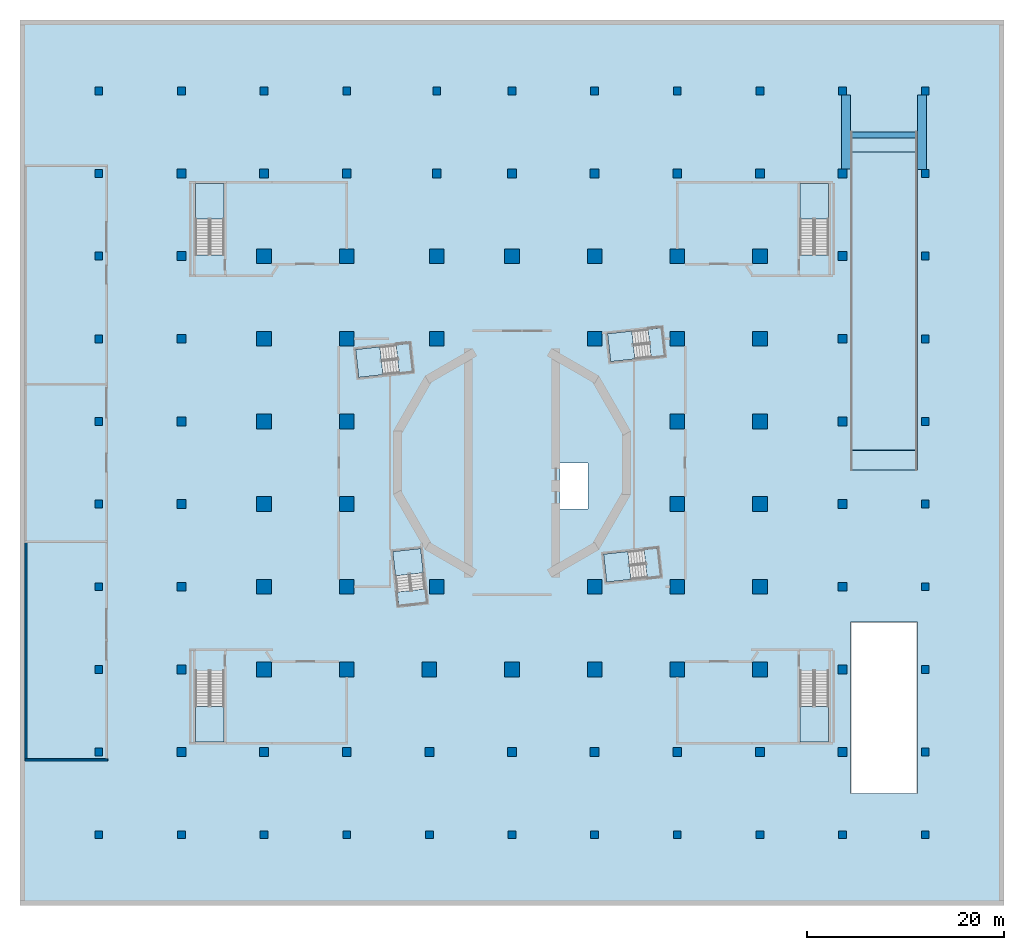
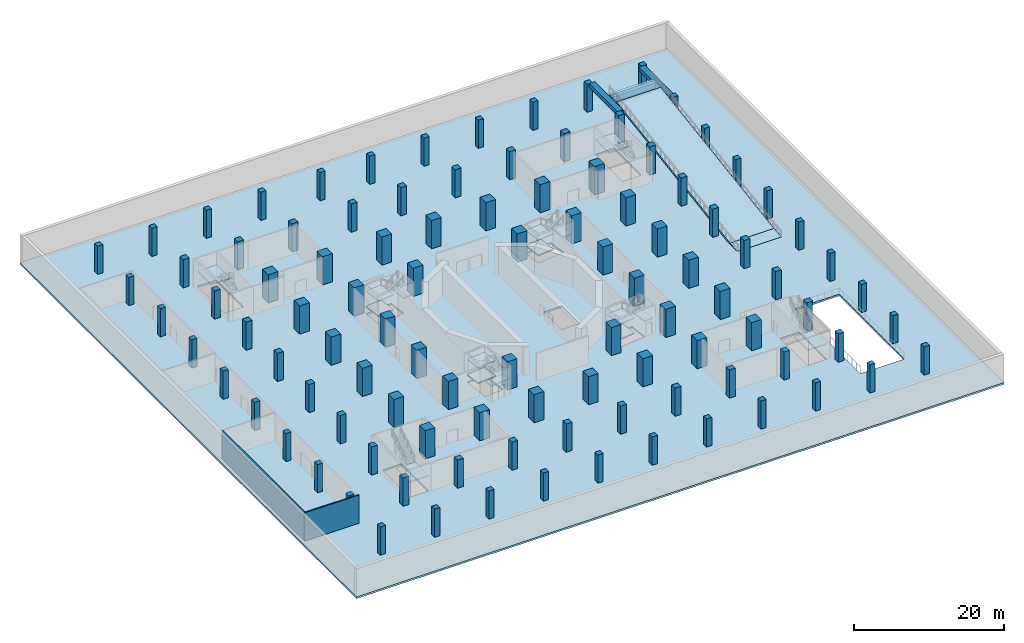
# One storey, part 1 of 20: 102 columns, 20 slabs, 3 beams, 2 walls, 8 elements without a shape of their own.
"""IFC4 building model written with IfcOpenShell, lengths in metres."""

from ifc_helpers import new_model, si_unit, direction, frame, frame_2d, origin, origin_2d, place, context, subcontext, project, spatial, polyline, rectangle, outline, extrude, clip, halfspace, material, layer, layer_set, material_profile, profile_set, type_object, element, aggregate, save


model = new_model("IFC4")

# Units and contexts
model_context = context("Model", 3, precision=1e-05, world=origin(), true_north=direction((0.0, 1.0)))
body_context = subcontext(model_context, "Body", "Model", "MODEL_VIEW")
ifc_project = project(units=[si_unit("LENGTHUNIT", "METRE"), si_unit("AREAUNIT", "SQUARE_METRE"), si_unit("VOLUMEUNIT", "CUBIC_METRE"), si_unit("PLANEANGLEUNIT", "RADIAN"), si_unit("MASSUNIT", "GRAM", prefix="KILO")], contexts=[model_context])

# Site, building, storey
site_placement = place(None, origin())
site = spatial("IfcSite", under=ifc_project, at=site_placement, CompositionType="ELEMENT")
building_placement = place(site_placement, origin())
building = spatial("IfcBuilding", under=site, at=building_placement, Name="Cantera Rosa Tower", CompositionType="ELEMENT")
storey_placement = place(building_placement, frame((0.0, 0.0, -5.0)))
storey = spatial("IfcBuildingStorey", under=building, at=storey_placement, Name="B1", CompositionType="ELEMENT", Elevation=-5.0)

# Columns
ifc_material_1 = material(Name="Concrete C60/75", Category="concrete")
ifc_material_profile_1 = material_profile(ifc_material_1, rectangle(XDim=1.5, YDim=1.5, at=origin_2d()), Name="Column 1500x1500")
ifc_profile_set_1 = profile_set([ifc_material_profile_1], Name="Concrete C60/75")
column_type_1 = type_object("IfcColumnType", Name="Column 1500x1500", PredefinedType="COLUMN", material=ifc_profile_set_1)
for number, where, z_axis, x_axis, name in (
    (1, (-25.199951171875, -21.0, 0.0), (0.0, 0.0, 1.0), (1.0, 0.0, 0.0), "Column C-P-2B"),
    (2, (-25.199951171875, -12.60009765625, 0.0), (0.0, 0.0, 1.0), (1.0, 0.0, 0.0), "Column C-P-2C"),
    (3, (-25.199951171875, -4.199951171875, 0.0), (0.0, 0.0, 1.0), (1.0, 0.0, 0.0), "Column C-P-2D"),
    (4, (-25.199951171875, 4.199951171875, 0.0), (0.0, 0.0, 1.0), (1.0, 0.0, 0.0), "Column C-P-2E"),
    (5, (-25.199951171875, 12.60009765625, 0.0), (0.0, 0.0, 1.0), (1.0, 0.0, 0.0), "Column C-P-2F"),
    (6, (-25.199951171875, 21.0, 0.0), (0.0, 0.0, 1.0), (1.0, 0.0, 0.0), "Column C-P-2G"),
    (7, (-16.800048828125, -21.0, 0.0), (0.0, 0.0, 1.0), (1.0, 0.0, 0.0), "Column C-P-3B"),
    (8, (-16.800048828125, -12.60009765625, 0.0), (0.0, 0.0, 1.0), (1.0, 0.0, 0.0), "Column C-P-3C"),
    (9, (-16.800048828125, -4.199951171875, 0.0), (0.0, 0.0, 1.0), (1.0, 0.0, 0.0), "Column C-P-3D"),
    (10, (-16.800048828125, 4.199951171875, 0.0), (0.0, 0.0, 1.0), (1.0, 0.0, 0.0), "Column C-P-3E"),
    (11, (-16.800048828125, 12.60009765625, 0.0), (0.0, 0.0, 1.0), (1.0, 0.0, 0.0), "Column C-P-3F"),
    (12, (-16.800048828125, 21.0, 0.0), (0.0, 0.0, 1.0), (1.0, 0.0, 0.0), "Column C-P-3G"),
    (13, (-8.39990234375, -21.0, 0.0), (0.0, 0.0, 1.0), (1.0, 0.0, 0.0), "Column C-P-4B"),
    (14, (-7.64990234375, -12.60009765625, 0.0), (0.0, 0.0, 1.0), (1.0, 0.0, 0.0), "Column C-P-4C"),
    (15, (-7.64990234375, 12.60009765625, 0.0), (0.0, 0.0, 1.0), (1.0, 0.0, 0.0), "Column C-B-4N2"),
    (16, (-7.64990234375, 21.0, 0.0), (0.0, 0.0, 1.0), (1.0, 0.0, 0.0), "Column C-B-4N3"),
    (17, (0.0, -21.0, 0.0), (0.0, 0.0, 1.0), (1.0, 0.0, 0.0), "Column C-P-5B"),
    (18, (0.0, 21.0, 0.0), (0.0, 0.0, 1.0), (1.0, 0.0, 0.0), "Column C-P-5G"),
    (19, (8.39990234375, -21.0, 0.0), (0.0, 0.0, 1.0), (1.0, 0.0, 0.0), "Column C-P-6B"),
    (20, (8.39990234375, -12.60009765625, 0.0), (0.0, 0.0, 1.0), (1.0, 0.0, 0.0), "Column C-P-6C"),
    (21, (8.39990234375, 12.60009765625, 0.0), (0.0, 0.0, 1.0), (1.0, 0.0, 0.0), "Column C-P-6F"),
    (22, (8.39990234375, 21.0, 0.0), (0.0, 0.0, 1.0), (1.0, 0.0, 0.0), "Column C-P-6G"),
    (23, (16.800048828125, -21.0, 0.0), (0.0, 0.0, 1.0), (1.0, 0.0, 0.0), "Column C-P-7B"),
    (24, (16.800048828125, -12.60009765625, 0.0), (0.0, 0.0, 1.0), (1.0, 0.0, 0.0), "Column C-P-7C"),
    (25, (16.800048828125, -4.199951171875, 0.0), (0.0, 0.0, 1.0), (1.0, 0.0, 0.0), "Column C-P-7D"),
    (26, (16.800048828125, 4.199951171875, 0.0), (0.0, 0.0, 1.0), (1.0, 0.0, 0.0), "Column C-P-7E"),
    (27, (16.800048828125, 12.60009765625, 0.0), (0.0, 0.0, 1.0), (1.0, 0.0, 0.0), "Column C-P-7F"),
    (28, (16.800048828125, 21.0, 0.0), (0.0, 0.0, 1.0), (1.0, 0.0, 0.0), "Column C-P-7G"),
    (29, (25.199951171875, -21.0, 0.0), (0.0, 0.0, 1.0), (1.0, 0.0, 0.0), "Column C-P-8B"),
    (30, (25.199951171875, -12.60009765625, 0.0), (0.0, 0.0, 1.0), (1.0, 0.0, 0.0), "Column C-P-8C"),
    (31, (25.199951171875, -4.199951171875, 0.0), (0.0, 0.0, 1.0), (1.0, 0.0, 0.0), "Column C-P-8D"),
    (32, (25.199951171875, 4.199951171875, 0.0), (0.0, 0.0, 1.0), (1.0, 0.0, 0.0), "Column C-P-8E"),
    (33, (25.199951171875, 12.60009765625, 0.0), (0.0, 0.0, 1.0), (1.0, 0.0, 0.0), "Column C-P-8F"),
    (34, (25.199951171875, 21.0, 0.0), (0.0, 0.0, 1.0), (1.0, 0.0, 0.0), "Column C-P-8G"),
):
    element("IfcColumn", number, at=place(storey_placement, frame(where, z_axis=z_axis, x_axis=x_axis)), inside=storey, type_object=column_type_1, Name=name, PredefinedType="COLUMN", context=body_context, shape_type="SweptSolid", body=[
        extrude(rectangle(XDim=1.5, YDim=1.5, at=origin_2d()), origin(), (0.0, 0.0, 1.0), 4.60009765625),
    ])
ifc_material_2 = material(Name="Concrete C60/75", Category="concrete")
ifc_material_profile_2 = material_profile(ifc_material_2, rectangle(XDim=0.800048828125, YDim=0.800048828125, at=origin_2d()), Name="Column 800x800")
ifc_profile_set_2 = profile_set([ifc_material_profile_2], Name="Concrete C60/75")
column_type_2 = type_object("IfcColumnType", Name="Column 800x800", PredefinedType="COLUMN", material=ifc_profile_set_2)
for number, where, z_axis, x_axis, name in (
    (35, (-42.0, -37.800048828125, 0.0), (0.0, 0.0, 1.0), (1.0, 0.0, 0.0), "Column C-B-0S5"),
    (36, (-42.0, -29.39990234375, 0.0), (0.0, 0.0, 1.0), (1.0, 0.0, 0.0), "Column C-B-0S4"),
    (37, (-42.0, -21.0, 0.0), (0.0, 0.0, 1.0), (1.0, 0.0, 0.0), "Column C-B-0S3"),
    (38, (-42.0, -12.60009765625, 0.0), (0.0, 0.0, 1.0), (1.0, 0.0, 0.0), "Column C-B-0S2"),
    (39, (-42.0, -4.199951171875, 0.0), (0.0, 0.0, 1.0), (1.0, 0.0, 0.0), "Column C-B-0S1"),
    (40, (-42.0, 4.199951171875, 0.0), (0.0, 0.0, 1.0), (1.0, 0.0, 0.0), "Column C-B-0N1"),
    (41, (-42.0, 12.60009765625, 0.0), (0.0, 0.0, 1.0), (1.0, 0.0, 0.0), "Column C-B-0N2"),
    (42, (-42.0, 21.0, 0.0), (0.0, 0.0, 1.0), (1.0, 0.0, 0.0), "Column C-B-0N3"),
    (43, (-42.0, 29.39990234375, 0.0), (0.0, 0.0, 1.0), (1.0, 0.0, 0.0), "Column C-B-0N4"),
    (44, (-42.0, 37.800048828125, 0.0), (0.0, 0.0, 1.0), (1.0, 0.0, 0.0), "Column C-B-0N5"),
    (45, (-33.60009765625, -37.800048828125, 0.0), (0.0, 0.0, 1.0), (1.0, 0.0, 0.0), "Column C-B-1S5"),
    (46, (-33.60009765625, 37.800048828125, 0.0), (0.0, 0.0, 1.0), (1.0, 0.0, 0.0), "Column C-B-1N5"),
    (47, (-25.199951171875, -37.800048828125, 0.0), (0.0, 0.0, 1.0), (1.0, 0.0, 0.0), "Column C-B-2S5"),
    (48, (-25.199951171875, 37.800048828125, 0.0), (0.0, 0.0, 1.0), (1.0, 0.0, 0.0), "Column C-B-2N5"),
    (49, (-16.800048828125, -37.800048828125, 0.0), (0.0, 0.0, 1.0), (1.0, 0.0, 0.0), "Column C-B-3S5"),
    (50, (-16.800048828125, 37.800048828125, 0.0), (0.0, 0.0, 1.0), (1.0, 0.0, 0.0), "Column C-B-3N5"),
    (51, (-8.39990234375, -37.800048828125, 0.0), (0.0, 0.0, 1.0), (1.0, 0.0, 0.0), "Column C-B-4S5"),
    (52, (-7.64990234375, 37.800048828125, 0.0), (0.0, 0.0, 1.0), (1.0, 0.0, 0.0), "Column C-B-4N5"),
    (53, (0.0, -37.800048828125, 0.0), (0.0, 0.0, 1.0), (1.0, 0.0, 0.0), "Column C-B-5S5"),
    (54, (0.0, 37.800048828125, 0.0), (0.0, 0.0, 1.0), (1.0, 0.0, 0.0), "Column C-B-5N5"),
    (55, (8.39990234375, -37.800048828125, 0.0), (0.0, 0.0, 1.0), (1.0, 0.0, 0.0), "Column C-B-6S5"),
    (56, (8.39990234375, 37.800048828125, 0.0), (0.0, 0.0, 1.0), (1.0, 0.0, 0.0), "Column C-B-6N5"),
    (57, (16.800048828125, -37.800048828125, 0.0), (0.0, 0.0, 1.0), (1.0, 0.0, 0.0), "Column C-B-7S5"),
    (58, (16.800048828125, 37.800048828125, 0.0), (0.0, 0.0, 1.0), (1.0, 0.0, 0.0), "Column C-B-7N5"),
    (59, (25.199951171875, -37.800048828125, 0.0), (0.0, 0.0, 1.0), (1.0, 0.0, 0.0), "Column C-B-8S5"),
    (60, (25.199951171875, 37.800048828125, 0.0), (0.0, 0.0, 1.0), (1.0, 0.0, 0.0), "Column C-B-8N5"),
    (61, (33.60009765625, -37.800048828125, 0.0), (0.0, 0.0, 1.0), (1.0, 0.0, 0.0), "Column C-B-9S5"),
    (62, (33.60009765625, 37.800048828125, 0.0), (0.0, 0.0, 1.0), (1.0, 0.0, 0.0), "Column C-B-9N5"),
    (63, (42.0, -37.800048828125, 0.0), (0.0, 0.0, 1.0), (1.0, 0.0, 0.0), "Column C-B-10S5"),
    (64, (42.0, -29.39990234375, 0.0), (0.0, 0.0, 1.0), (1.0, 0.0, 0.0), "Column C-B-10S4"),
    (65, (42.0, -21.0, 0.0), (0.0, 0.0, 1.0), (1.0, 0.0, 0.0), "Column C-B-10S3"),
    (66, (42.0, -12.60009765625, 0.0), (0.0, 0.0, 1.0), (1.0, 0.0, 0.0), "Column C-B-10S2"),
    (67, (42.0, -4.199951171875, 0.0), (0.0, 0.0, 1.0), (1.0, 0.0, 0.0), "Column C-B-10S1"),
    (68, (42.0, 4.199951171875, 0.0), (0.0, 0.0, 1.0), (1.0, 0.0, 0.0), "Column C-B-10N1"),
    (69, (42.0, 12.60009765625, 0.0), (0.0, 0.0, 1.0), (1.0, 0.0, 0.0), "Column C-B-10N2"),
    (70, (42.0, 21.0, 0.0), (0.0, 0.0, 1.0), (1.0, 0.0, 0.0), "Column C-B-10N3"),
    (71, (42.0, 29.39990234375, 0.0), (0.0, 0.0, 1.0), (1.0, 0.0, 0.0), "Column C-B-10N4"),
    (72, (42.0, 37.800048828125, 0.0), (0.0, 0.0, 1.0), (1.0, 0.0, 0.0), "Column C-B-10N5"),
):
    element("IfcColumn", number, at=place(storey_placement, frame(where, z_axis=z_axis, x_axis=x_axis)), inside=storey, type_object=column_type_2, Name=name, PredefinedType="COLUMN", context=body_context, shape_type="SweptSolid", body=[
        extrude(rectangle(XDim=0.800048828125, YDim=0.800048828125, at=origin_2d()), origin(), (0.0, 0.0, 1.0), 4.60009765625),
    ])
ifc_material_3 = material(Name="Concrete C60/75", Category="concrete")
ifc_material_profile_3 = material_profile(ifc_material_3, rectangle(XDim=0.89990234375, YDim=0.89990234375, at=origin_2d()), Name="Column 900x900")
ifc_profile_set_3 = profile_set([ifc_material_profile_3], Name="Concrete C60/75")
column_type_3 = type_object("IfcColumnType", Name="Column 900x900", PredefinedType="COLUMN", material=ifc_profile_set_3)
for number, where, z_axis, x_axis, name in (
    (73, (-33.60009765625, -29.39990234375, 0.0), (0.0, 0.0, 1.0), (1.0, 0.0, 0.0), "Column C-P-1A"),
    (74, (-33.60009765625, -21.0, 0.0), (0.0, 0.0, 1.0), (1.0, 0.0, 0.0), "Column C-P-1B"),
    (75, (-33.60009765625, -12.60009765625, 0.0), (0.0, 0.0, 1.0), (1.0, 0.0, 0.0), "Column C-P-1C"),
    (76, (-33.60009765625, -4.199951171875, 0.0), (0.0, 0.0, 1.0), (1.0, 0.0, 0.0), "Column C-P-1D"),
    (77, (-33.60009765625, 4.199951171875, 0.0), (0.0, 0.0, 1.0), (1.0, 0.0, 0.0), "Column C-P-1E"),
    (78, (-33.60009765625, 12.60009765625, 0.0), (0.0, 0.0, 1.0), (1.0, 0.0, 0.0), "Column C-P-1F"),
    (79, (-33.60009765625, 21.0, 0.0), (0.0, 0.0, 1.0), (1.0, 0.0, 0.0), "Column C-P-1G"),
    (80, (-33.60009765625, 29.39990234375, 0.0), (0.0, 0.0, 1.0), (1.0, 0.0, 0.0), "Column C-P-1H"),
    (81, (-25.199951171875, -29.39990234375, 0.0), (0.0, 0.0, 1.0), (1.0, 0.0, 0.0), "Column C-P-2A"),
    (82, (-25.199951171875, 29.39990234375, 0.0), (0.0, 0.0, 1.0), (1.0, 0.0, 0.0), "Column C-P-2H"),
    (83, (-16.800048828125, -29.39990234375, 0.0), (0.0, 0.0, 1.0), (1.0, 0.0, 0.0), "Column C-P-3A"),
    (84, (-16.800048828125, 29.39990234375, 0.0), (0.0, 0.0, 1.0), (1.0, 0.0, 0.0), "Column C-P-3H"),
    (85, (-8.39990234375, -29.39990234375, 0.0), (0.0, 0.0, 1.0), (1.0, 0.0, 0.0), "Column C-P-4A"),
    (86, (-7.64990234375, 29.39990234375, 0.0), (0.0, 0.0, 1.0), (1.0, 0.0, 0.0), "Column C-B-4N4"),
    (87, (0.0, -29.39990234375, 0.0), (0.0, 0.0, 1.0), (1.0, 0.0, 0.0), "Column C-P-5A"),
    (88, (0.0, 29.39990234375, 0.0), (0.0, 0.0, 1.0), (1.0, 0.0, 0.0), "Column C-P-5H"),
    (89, (8.39990234375, -29.39990234375, 0.0), (0.0, 0.0, 1.0), (1.0, 0.0, 0.0), "Column C-P-6A"),
    (90, (8.39990234375, 29.39990234375, 0.0), (0.0, 0.0, 1.0), (1.0, 0.0, 0.0), "Column C-P-6H"),
    (91, (16.800048828125, -29.39990234375, 0.0), (0.0, 0.0, 1.0), (1.0, 0.0, 0.0), "Column C-P-7A"),
    (92, (16.800048828125, 29.39990234375, 0.0), (0.0, 0.0, 1.0), (1.0, 0.0, 0.0), "Column C-P-7H"),
    (93, (25.199951171875, -29.39990234375, 0.0), (0.0, 0.0, 1.0), (1.0, 0.0, 0.0), "Column C-P-8A"),
    (94, (25.199951171875, 29.39990234375, 0.0), (0.0, 0.0, 1.0), (1.0, 0.0, 0.0), "Column C-P-8H"),
    (95, (33.60009765625, -29.39990234375, 0.0), (0.0, 0.0, 1.0), (1.0, 0.0, 0.0), "Column C-P-9A"),
    (96, (33.60009765625, -21.0, 0.0), (0.0, 0.0, 1.0), (1.0, 0.0, 0.0), "Column C-P-9B"),
    (97, (33.60009765625, -12.60009765625, 0.0), (0.0, 0.0, 1.0), (1.0, 0.0, 0.0), "Column C-P-9C"),
    (98, (33.60009765625, -4.199951171875, 0.0), (0.0, 0.0, 1.0), (1.0, 0.0, 0.0), "Column C-P-9D"),
    (99, (33.60009765625, 4.199951171875, 0.0), (0.0, 0.0, 1.0), (1.0, 0.0, 0.0), "Column C-P-9E"),
    (100, (33.60009765625, 12.60009765625, 0.0), (0.0, 0.0, 1.0), (1.0, 0.0, 0.0), "Column C-P-9F"),
    (101, (33.60009765625, 21.0, 0.0), (0.0, 0.0, 1.0), (1.0, 0.0, 0.0), "Column C-P-9G"),
    (102, (33.60009765625, 29.39990234375, 0.0), (0.0, 0.0, 1.0), (1.0, 0.0, 0.0), "Column C-P-9H"),
):
    element("IfcColumn", number, at=place(storey_placement, frame(where, z_axis=z_axis, x_axis=x_axis)), inside=storey, type_object=column_type_3, Name=name, PredefinedType="COLUMN", context=body_context, shape_type="SweptSolid", body=[
        extrude(rectangle(XDim=0.89990234375, YDim=0.89990234375, at=origin_2d()), origin(), (0.0, 0.0, 1.0), 4.60009765625),
    ])

# Beams
ifc_material_4 = material(Name="Concrete C35/45", Category="concrete")
ifc_material_profile_4 = material_profile(ifc_material_4, rectangle(XDim=0.60009765625, YDim=0.800048828125, at=origin_2d()), Name="RC cross beam 600x800")
ifc_profile_set_4 = profile_set([ifc_material_profile_4], Name="Concrete C35/45")
beam_type_1 = type_object("IfcBeamType", Name="RC cross beam 600x800", PredefinedType="BEAM", material=ifc_profile_set_4)
beam_1_placement = place(storey_placement, frame((34.39990234375, 33.300048828125, 4.248779296875), z_axis=(1.0, 0.0, 0.0), x_axis=(0.0, 1.0, 0.0)))
element("IfcBeam", 103, at=beam_1_placement, inside=storey, type_object=beam_type_1, Name="Ramp cross beam RX1", PredefinedType="BEAM", context=body_context, shape_type="SweptSolid", body=[
    extrude(rectangle(XDim=0.60009765625, YDim=0.800048828125, at=origin_2d()), origin(), (0.0, 0.0, 1.0), 6.800048828125),
])
ifc_material_5 = material(Name="Concrete C35/45", Category="concrete")
ifc_material_profile_5 = material_profile(ifc_material_5, rectangle(XDim=0.89990234375, YDim=0.60009765625, at=origin_2d()), Name="RC edge beam 900x600")
ifc_profile_set_5 = profile_set([ifc_material_profile_5], Name="Concrete C35/45")
beam_type_2 = type_object("IfcBeamType", Name="RC edge beam 900x600", PredefinedType="BEAM", material=ifc_profile_set_5)
beam_2_placement = place(storey_placement, frame((33.949951171875, 29.85009765625, 4.300048828125), z_axis=(0.0, 1.0, 0.0), x_axis=(-1.0, 0.0, 0.0)))
element("IfcBeam", 104, at=beam_2_placement, inside=storey, type_object=beam_type_2, Name="Ramp edge beam RE1-W", PredefinedType="BEAM", context=body_context, shape_type="SweptSolid", body=[
    extrude(rectangle(XDim=0.89990234375, YDim=0.60009765625, at=origin_2d()), origin(), (0.0, 0.0, 1.0), 7.5498046875),
])
beam_3_placement = place(storey_placement, frame((41.64990234375, 29.800048828125, 4.300048828125), z_axis=(0.0, 1.0, 0.0), x_axis=(-1.0, 0.0, 0.0)))
element("IfcBeam", 105, at=beam_3_placement, inside=storey, type_object=beam_type_2, Name="Ramp edge beam RE1-E", PredefinedType="BEAM", context=body_context, shape_type="SweptSolid", body=[
    extrude(rectangle(XDim=0.89990234375, YDim=0.60009765625, at=origin_2d()), origin(), (0.0, 0.0, 1.0), 7.599853515625),
])

# Slabs
ifc_material_6 = material(Name="Concrete C35/45", Category="concrete")
ifc_layer_1 = layer(ifc_material_6, 0.300048828125)
ifc_layer_set_1 = layer_set([ifc_layer_1], Name="Flat slab 300")
slab_type_1 = type_object("IfcSlabType", Name="Flat slab 300", PredefinedType="FLOOR", material=ifc_layer_set_1)
slab_1_placement = place(storey_placement, frame((0.0, 0.0, -0.300048828125)))
element("IfcSlab", 106, at=slab_1_placement, inside=storey, type_object=slab_type_1, Name="Floor slab B1", PredefinedType="FLOOR", context=body_context, shape_type="SweptSolid", body=[
    extrude(outline(polyline([(-50.0, -45.0), (50.0, -45.0), (50.0, 45.0), (-50.0, 45.0), (-50.0, -45.0)]), holes=[polyline([(41.199951171875, -16.166748046875), (34.39990234375, -16.166748046875), (34.39990234375, -33.60009765625), (41.199951171875, -33.60009765625), (41.199951171875, -16.166748046875)]), polyline([(29.27490234375, -28.375), (32.175048828125, -28.375), (32.175048828125, -21.136962890625), (29.27490234375, -21.136962890625), (29.27490234375, -28.375)]), polyline([(32.175048828125, 28.375), (29.27490234375, 28.375), (29.27490234375, 21.136962890625), (32.175048828125, 21.136962890625), (32.175048828125, 28.375)]), polyline([(9.709716796875, 13.11279296875), (10.02392578125, 10.2802734375), (14.13671875, 10.73681640625), (13.822265625, 13.5693359375), (9.709716796875, 13.11279296875)]), polyline([(9.6240234375, -12.11962890625), (13.73681640625, -11.6630859375), (13.42236328125, -8.83056640625), (9.3095703125, -9.287109375), (9.6240234375, -12.11962890625)]), polyline([(4.89990234375, -4.699951171875), (7.699951171875, -4.699951171875), (7.699951171875, 0.0), (4.89990234375, 0.0), (4.89990234375, -4.699951171875)]), polyline([(-12.11962890625, -9.02392578125), (-11.6630859375, -13.13671875), (-8.83056640625, -12.822265625), (-9.287109375, -8.709716796875), (-12.11962890625, -9.02392578125)]), polyline([(-15.890380859375, 11.512939453125), (-15.575927734375, 8.680419921875), (-11.46337890625, 9.13671875), (-11.777587890625, 11.969482421875), (-15.890380859375, 11.512939453125)]), polyline([(-29.27490234375, -28.375), (-29.27490234375, -21.136962890625), (-32.175048828125, -21.136962890625), (-32.175048828125, -28.375), (-29.27490234375, -28.375)]), polyline([(-32.175048828125, 28.375), (-32.175048828125, 21.136962890625), (-29.27490234375, 21.136962890625), (-29.27490234375, 28.375), (-32.175048828125, 28.375)])]), origin(), (0.0, 0.0, 1.0), 0.300048828125),
])
ifc_material_7 = material(Name="Concrete C35/45", Category="concrete")
ifc_layer_2 = layer(ifc_material_7, 0.300048828125)
ifc_layer_set_2 = layer_set([ifc_layer_2], Name="RC ramp slab 300 C35/45")
slab_type_2 = type_object("IfcSlabType", Name="RC ramp slab 300", PredefinedType="FLOOR", material=ifc_layer_set_2)
slab_2_placement = place(storey_placement, frame((34.39990234375, -0.7333984375, 0.0), z_axis=(0.0, -0.083085749549, 0.996542401618), x_axis=(1.0, 0.0, 0.0)))
element("IfcSlab", 107, at=slab_2_placement, inside=storey, type_object=slab_type_2, Name="Vehicle ramp RP1 slab 1", PredefinedType="FLOOR", context=body_context, shape_type="Clipping", body=[
    clip(extrude(outline(polyline([(0.0, 0.0), (6.800048828125, 0.0), (6.800048828125, 2.0069391896957485), (0.0, 2.0069391896957485), (0.0, 0.0)])), origin(), (0.0, 0.0, -1.0), 0.300048828125), halfspace(frame((0.0, 0.0, 0.0), z_axis=(0.0, 0.083085749549, 0.996542401618), x_axis=(1.0, 0.0, 0.0)), True)),
])
slab_3_placement = place(storey_placement, frame((34.39990234375, 1.2666015625, 0.166748046875), z_axis=(0.0, -0.152051206532, 0.988372617282), x_axis=(1.0, 0.0, 0.0)))
element("IfcSlab", 108, at=slab_3_placement, inside=storey, type_object=slab_type_2, Name="Vehicle ramp RP1 slab 2", PredefinedType="FLOOR", context=body_context, shape_type="Clipping", body=[
    clip(extrude(outline(polyline([(0.0, 0.0), (6.800048828125, 0.0), (6.800048828125, 30.69034447471375), (0.0, 30.69034447471375), (0.0, 0.0)])), origin(), (0.0, 0.0, -1.0), 0.300048828125), halfspace(frame((0.0, -0.025390625, -0.164794921875), z_axis=(0.0, 0.152051206532, 0.988372617282), x_axis=(1.0, 0.0, 0.0)), True)),
])
slab_4_placement = place(storey_placement, frame((34.39990234375, 31.60009765625, 4.833251953125), z_axis=(0.0, -0.083085749549, 0.996542401618), x_axis=(1.0, 0.0, 0.0)))
element("IfcSlab", 109, at=slab_4_placement, inside=storey, type_object=slab_type_2, Name="Vehicle ramp RP1 slab 3", PredefinedType="FLOOR", context=body_context, shape_type="Clipping", body=[
    clip(extrude(outline(polyline([(0.0, 0.0), (6.800048828125, 0.0), (6.800048828125, 2.0069391896957485), (0.0, 2.0069391896957485), (0.0, 0.0)])), origin(), (0.0, 0.0, -1.0), 0.300048828125), halfspace(frame((0.0, -0.401611328125, -4.816650390625), z_axis=(0.0, 0.083085749549, 0.996542401618), x_axis=(1.0, 0.0, 0.0)), True)),
])

# Stair, slabs
ifc_material_8 = material(Name="Concrete C35/45", Category="concrete")
stair_type_1 = type_object("IfcStairType", Name="EXIT STAIR 1350 DOGLEG", PredefinedType="HALF_TURN_STAIR", material=ifc_material_8)
stair_1_placement = place(storey_placement, origin())
stair_1 = element("IfcStair", 110, at=stair_1_placement, inside=storey, type_object=stair_type_1, Name="B1 ST-11", PredefinedType="HALF_TURN_STAIR")
ifc_material_9 = material(Name="Concrete C35/45", Category="concrete")
ifc_layer_3 = layer(ifc_material_9, 0.199951171875)
ifc_layer_set_3 = layer_set([ifc_layer_3], Name="STAIR LANDING 200")
slab_type_3 = type_object("IfcSlabType", Name="STAIR LANDING 200", PredefinedType="LANDING", material=ifc_layer_set_3)
slab_5_placement = place(storey_placement, frame((0.0, 0.0, 1.050048828125)))
slab_5 = element("IfcSlab", 111, at=slab_5_placement, type_object=slab_type_3, Name="ST-11 landing 1", PredefinedType="LANDING", context=body_context, shape_type="SweptSolid", body=[
    extrude(outline(polyline([(12.176513671875, 13.38671875), (9.70947265625, 13.113037109375), (10.02392578125, 10.2802734375), (12.49072265625, 10.55419921875), (12.176513671875, 13.38671875)])), origin(), (0.0, 0.0, 1.0), 0.199951171875),
])
slab_6_placement = place(storey_placement, frame((0.0, 0.0, 2.300048828125)))
slab_6 = element("IfcSlab", 112, at=slab_6_placement, type_object=slab_type_3, Name="ST-11 landing 2", PredefinedType="LANDING", context=body_context, shape_type="SweptSolid", body=[
    extrude(outline(polyline([(15.176025390625, 13.7197265625), (13.822265625, 13.5693359375), (14.13671875, 10.73681640625), (15.490478515625, 10.886962890625), (15.176025390625, 13.7197265625)])), origin(), (0.0, 0.0, 1.0), 0.199951171875),
])
slab_7_placement = place(storey_placement, frame((0.0, 0.0, 3.550048828125)))
slab_7 = element("IfcSlab", 113, at=slab_7_placement, type_object=slab_type_3, Name="ST-11 landing 3", PredefinedType="LANDING", context=body_context, shape_type="SweptSolid", body=[
    extrude(outline(polyline([(12.176513671875, 13.38671875), (9.70947265625, 13.113037109375), (10.02392578125, 10.2802734375), (12.49072265625, 10.55419921875), (12.176513671875, 13.38671875)])), origin(), (0.0, 0.0, 1.0), 0.199951171875),
])
aggregate(stair_1, [slab_5, slab_6, slab_7])

stair_2_placement = place(storey_placement, origin())
stair_2 = element("IfcStair", 114, at=stair_2_placement, inside=storey, type_object=stair_type_1, Name="B1 ST-12", PredefinedType="HALF_TURN_STAIR")
slab_8_placement = place(storey_placement, frame((0.0, 0.0, 1.050048828125)))
slab_8 = element("IfcSlab", 115, at=slab_8_placement, type_object=slab_type_3, Name="ST-12 landing 1", PredefinedType="LANDING", context=body_context, shape_type="SweptSolid", body=[
    extrude(outline(polyline([(-13.423583984375, 11.78662109375), (-15.890380859375, 11.512939453125), (-15.575927734375, 8.680419921875), (-13.109130859375, 8.9541015625), (-13.423583984375, 11.78662109375)])), origin(), (0.0, 0.0, 1.0), 0.199951171875),
])
slab_9_placement = place(storey_placement, frame((0.0, 0.0, 2.300048828125)))
slab_9 = element("IfcSlab", 116, at=slab_9_placement, type_object=slab_type_3, Name="ST-12 landing 2", PredefinedType="LANDING", context=body_context, shape_type="SweptSolid", body=[
    extrude(outline(polyline([(-10.424072265625, 12.11962890625), (-11.777587890625, 11.969482421875), (-11.46337890625, 9.13671875), (-10.109619140625, 9.287109375), (-10.424072265625, 12.11962890625)])), origin(), (0.0, 0.0, 1.0), 0.199951171875),
])
slab_10_placement = place(storey_placement, frame((0.0, 0.0, 3.550048828125)))
slab_10 = element("IfcSlab", 117, at=slab_10_placement, type_object=slab_type_3, Name="ST-12 landing 3", PredefinedType="LANDING", context=body_context, shape_type="SweptSolid", body=[
    extrude(outline(polyline([(-13.423583984375, 11.78662109375), (-15.890380859375, 11.512939453125), (-15.575927734375, 8.680419921875), (-13.109130859375, 8.9541015625), (-13.423583984375, 11.78662109375)])), origin(), (0.0, 0.0, 1.0), 0.199951171875),
])
aggregate(stair_2, [slab_8, slab_9, slab_10])

stair_3_placement = place(storey_placement, origin())
stair_3 = element("IfcStair", 118, at=stair_3_placement, inside=storey, type_object=stair_type_1, Name="B1 ST-13", PredefinedType="HALF_TURN_STAIR")
slab_11_placement = place(storey_placement, frame((0.0, 0.0, 1.050048828125)))
slab_11 = element("IfcSlab", 119, at=slab_11_placement, type_object=slab_type_3, Name="ST-13 landing 1", PredefinedType="LANDING", context=body_context, shape_type="SweptSolid", body=[
    extrude(outline(polyline([(-9.01318359375, -11.176513671875), (-9.287109375, -8.70947265625), (-12.11962890625, -9.02392578125), (-11.845947265625, -11.49072265625), (-9.01318359375, -11.176513671875)])), origin(), (0.0, 0.0, 1.0), 0.199951171875),
])
slab_12_placement = place(storey_placement, frame((0.0, 0.0, 2.300048828125)))
slab_12 = element("IfcSlab", 120, at=slab_12_placement, type_object=slab_type_3, Name="ST-13 landing 2", PredefinedType="LANDING", context=body_context, shape_type="SweptSolid", body=[
    extrude(outline(polyline([(-8.680419921875, -14.176025390625), (-8.83056640625, -12.822265625), (-11.6630859375, -13.13671875), (-11.512939453125, -14.490478515625), (-8.680419921875, -14.176025390625)])), origin(), (0.0, 0.0, 1.0), 0.199951171875),
])
slab_13_placement = place(storey_placement, frame((0.0, 0.0, 3.550048828125)))
slab_13 = element("IfcSlab", 121, at=slab_13_placement, type_object=slab_type_3, Name="ST-13 landing 3", PredefinedType="LANDING", context=body_context, shape_type="SweptSolid", body=[
    extrude(outline(polyline([(-9.01318359375, -11.176513671875), (-9.287109375, -8.70947265625), (-12.11962890625, -9.02392578125), (-11.845947265625, -11.49072265625), (-9.01318359375, -11.176513671875)])), origin(), (0.0, 0.0, 1.0), 0.199951171875),
])
aggregate(stair_3, [slab_11, slab_12, slab_13])

stair_4_placement = place(storey_placement, origin())
stair_4 = element("IfcStair", 122, at=stair_4_placement, inside=storey, type_object=stair_type_1, Name="B1 ST-14", PredefinedType="HALF_TURN_STAIR")
slab_14_placement = place(storey_placement, frame((0.0, 0.0, 1.050048828125)))
slab_14 = element("IfcSlab", 123, at=slab_14_placement, type_object=slab_type_3, Name="ST-14 landing 1", PredefinedType="LANDING", context=body_context, shape_type="SweptSolid", body=[
    extrude(outline(polyline([(11.7763671875, -9.01318359375), (9.3095703125, -9.287109375), (9.6240234375, -12.11962890625), (12.0908203125, -11.845947265625), (11.7763671875, -9.01318359375)])), origin(), (0.0, 0.0, 1.0), 0.199951171875),
])
slab_15_placement = place(storey_placement, frame((0.0, 0.0, 2.300048828125)))
slab_15 = element("IfcSlab", 124, at=slab_15_placement, type_object=slab_type_3, Name="ST-14 landing 2", PredefinedType="LANDING", context=body_context, shape_type="SweptSolid", body=[
    extrude(outline(polyline([(14.776123046875, -8.680419921875), (13.42236328125, -8.83056640625), (13.73681640625, -11.6630859375), (15.09033203125, -11.512939453125), (14.776123046875, -8.680419921875)])), origin(), (0.0, 0.0, 1.0), 0.199951171875),
])
slab_16_placement = place(storey_placement, frame((0.0, 0.0, 3.550048828125)))
slab_16 = element("IfcSlab", 125, at=slab_16_placement, type_object=slab_type_3, Name="ST-14 landing 3", PredefinedType="LANDING", context=body_context, shape_type="SweptSolid", body=[
    extrude(outline(polyline([(11.7763671875, -9.01318359375), (9.3095703125, -9.287109375), (9.6240234375, -12.11962890625), (12.0908203125, -11.845947265625), (11.7763671875, -9.01318359375)])), origin(), (0.0, 0.0, 1.0), 0.199951171875),
])
aggregate(stair_4, [slab_14, slab_15, slab_16])

# Stair, slab
ifc_material_10 = material(Name="Concrete C35/45", Category="concrete")
stair_type_2 = type_object("IfcStairType", Name="Stair half-turn 1350", PredefinedType="HALF_TURN_STAIR", material=ifc_material_10)
stair_5_placement = place(storey_placement, origin())
stair_5 = element("IfcStair", 126, at=stair_5_placement, inside=storey, type_object=stair_type_2, Name="B1 ST-NE", PredefinedType="HALF_TURN_STAIR")
ifc_material_11 = material(Name="Concrete C35/45", Category="concrete")
ifc_layer_4 = layer(ifc_material_11, 0.199951171875)
ifc_layer_set_4 = layer_set([ifc_layer_4], Name="Stair landing 200")
slab_type_4 = type_object("IfcSlabType", Name="Stair landing 200", PredefinedType="LANDING", material=ifc_layer_set_4)
slab_17_placement = place(storey_placement, frame((0.0, 0.0, 2.300048828125)))
slab_17 = element("IfcSlab", 127, at=slab_17_placement, type_object=slab_type_4, Name="ST-NE landing 1", PredefinedType="LANDING", context=body_context, shape_type="SweptSolid", body=[
    extrude(outline(polyline([(32.175048828125, 24.7529296875), (32.175048828125, 28.375), (29.27490234375, 28.375), (29.27490234375, 24.7529296875), (32.175048828125, 24.7529296875)])), origin(), (0.0, 0.0, 1.0), 0.199951171875),
])
aggregate(stair_5, [slab_17])

stair_6_placement = place(storey_placement, origin())
stair_6 = element("IfcStair", 128, at=stair_6_placement, inside=storey, type_object=stair_type_2, Name="B1 ST-NW", PredefinedType="HALF_TURN_STAIR")
slab_18_placement = place(storey_placement, frame((0.0, 0.0, 2.300048828125)))
slab_18 = element("IfcSlab", 129, at=slab_18_placement, type_object=slab_type_4, Name="ST-NW landing 1", PredefinedType="LANDING", context=body_context, shape_type="SweptSolid", body=[
    extrude(outline(polyline([(-29.27490234375, 24.7529296875), (-29.27490234375, 28.375), (-32.175048828125, 28.375), (-32.175048828125, 24.7529296875), (-29.27490234375, 24.7529296875)])), origin(), (0.0, 0.0, 1.0), 0.199951171875),
])
aggregate(stair_6, [slab_18])

stair_7_placement = place(storey_placement, origin())
stair_7 = element("IfcStair", 130, at=stair_7_placement, inside=storey, type_object=stair_type_2, Name="B1 ST-SE", PredefinedType="HALF_TURN_STAIR")
slab_19_placement = place(storey_placement, frame((0.0, 0.0, 2.300048828125)))
slab_19 = element("IfcSlab", 131, at=slab_19_placement, type_object=slab_type_4, Name="ST-SE landing 1", PredefinedType="LANDING", context=body_context, shape_type="SweptSolid", body=[
    extrude(outline(polyline([(29.27490234375, -24.7529296875), (29.27490234375, -28.375), (32.175048828125, -28.375), (32.175048828125, -24.7529296875), (29.27490234375, -24.7529296875)])), origin(), (0.0, 0.0, 1.0), 0.199951171875),
])
aggregate(stair_7, [slab_19])

stair_8_placement = place(storey_placement, origin())
stair_8 = element("IfcStair", 132, at=stair_8_placement, inside=storey, type_object=stair_type_2, Name="B1 ST-SW", PredefinedType="HALF_TURN_STAIR")
slab_20_placement = place(storey_placement, frame((0.0, 0.0, 2.300048828125)))
slab_20 = element("IfcSlab", 133, at=slab_20_placement, type_object=slab_type_4, Name="ST-SW landing 1", PredefinedType="LANDING", context=body_context, shape_type="SweptSolid", body=[
    extrude(outline(polyline([(-32.175048828125, -24.7529296875), (-32.175048828125, -28.375), (-29.27490234375, -28.375), (-29.27490234375, -24.7529296875), (-32.175048828125, -24.7529296875)])), origin(), (0.0, 0.0, 1.0), 0.199951171875),
])
aggregate(stair_8, [slab_20])

# Walls
ifc_material_12 = material(Name="Masonry blockwork", Category="masonry")
ifc_layer_5 = layer(ifc_material_12, 0.199951171875)
ifc_layer_set_5 = layer_set([ifc_layer_5], Name="Blockwork partition 200")
wall_type = type_object("IfcWallType", Name="Blockwork partition 200", PredefinedType="PARTITIONING", material=ifc_layer_set_5)
wall_1_placement = place(storey_placement, frame((-49.39990234375, -30.10009765625, 0.0), z_axis=(0.0, 0.0, 1.0), x_axis=(0.0, 1.0, 0.0)))
element("IfcWall", 134, at=wall_1_placement, inside=storey, type_object=wall_type, Name="Partition B1-68", PredefinedType="PARTITIONING", context=body_context, shape_type="SweptSolid", body=[
    extrude(rectangle(XDim=22.0, YDim=0.199951171875, at=frame_2d((11.0, 0.0))), origin(), (0.0, 0.0, 1.0), 4.60009765625),
])
wall_2_placement = place(storey_placement, frame((-49.5, -30.199951171875, 0.0), z_axis=(0.0, 0.0, 1.0), x_axis=(1.0, 0.0, 0.0)))
element("IfcWall", 135, at=wall_2_placement, inside=storey, type_object=wall_type, Name="Partition B1-71", PredefinedType="PARTITIONING", context=body_context, shape_type="SweptSolid", body=[
    extrude(rectangle(XDim=8.39990234375, YDim=0.199951171875, at=frame_2d((4.199951171875, 0.0))), origin(), (0.0, 0.0, 1.0), 4.60009765625),
])

save(model, "model.ifc")
